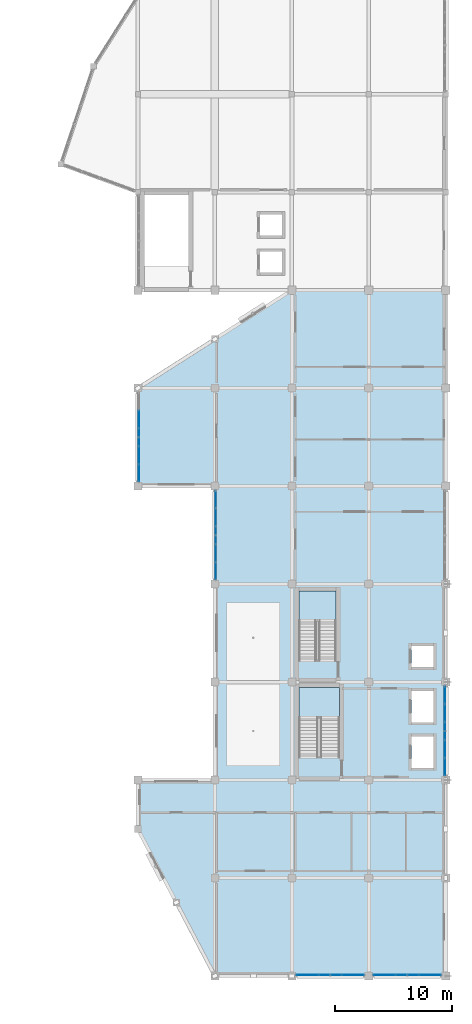
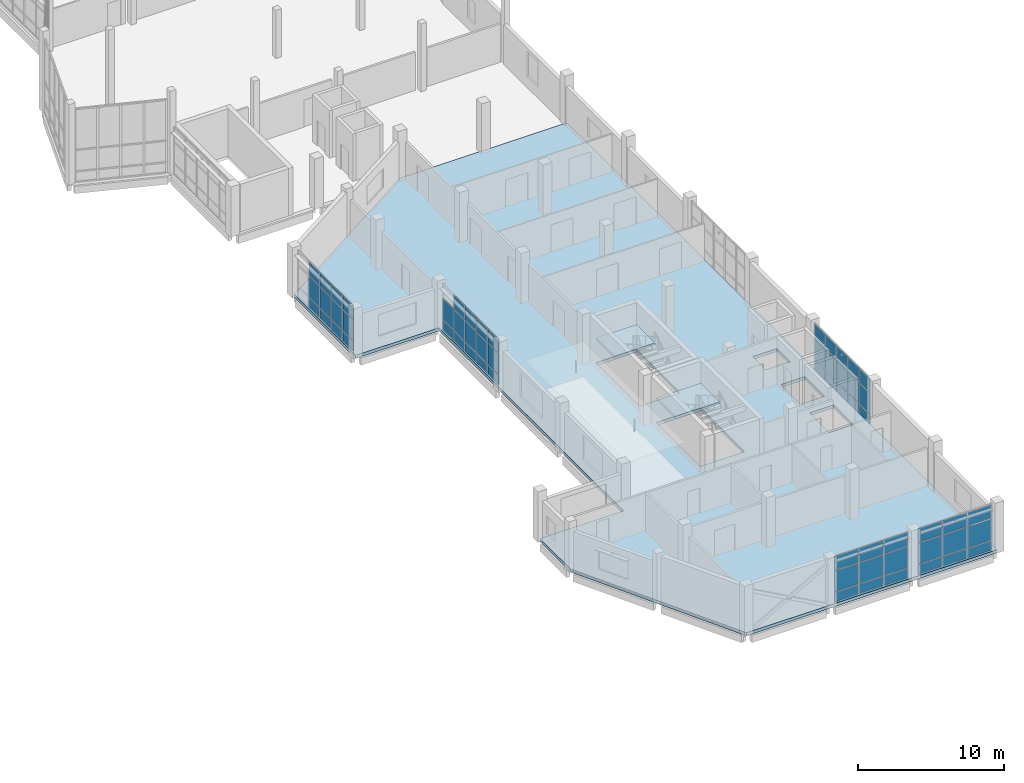
# One storey, part 50 of 78: 59 plates, 3 slabs, 7 elements without a shape of their own.
"""IFC4 building model written with IfcOpenShell, lengths in metres."""

from ifc_helpers import new_model, si_unit, direction, frame, origin, origin_2d, place, context, subcontext, project, spatial, polyline, rectangle, outline, extrude, material, layer, layer_set, type_object, element, aggregate, save


model = new_model("IFC4")

# Units and contexts
model_context = context("Model", 3, precision=1e-05, world=origin(), true_north=direction((0.0, 1.0)))
body_context = subcontext(model_context, "Body", "Model", "MODEL_VIEW")
ifc_project = project(units=[si_unit("LENGTHUNIT", "METRE"), si_unit("AREAUNIT", "SQUARE_METRE"), si_unit("VOLUMEUNIT", "CUBIC_METRE"), si_unit("PLANEANGLEUNIT", "RADIAN"), si_unit("MASSUNIT", "GRAM", prefix="KILO")], contexts=[model_context])

# Site, building, storey
site_placement = place(None, origin())
site = spatial("IfcSite", under=ifc_project, at=site_placement, CompositionType="ELEMENT")
building_placement = place(site_placement, origin())
building = spatial("IfcBuilding", under=site, at=building_placement, Name="Qaldarim Faculty of Natural and Applied Sciences", CompositionType="ELEMENT")
storey_placement = place(building_placement, frame((0.0, 0.0, 18.60009765625)))
storey = spatial("IfcBuildingStorey", under=building, at=storey_placement, Name="L04", CompositionType="ELEMENT", Elevation=18.60009765625)

# Slab
ifc_material_1 = material(Name="Concrete C40/50", Category="concrete")
ifc_layer_1 = layer(ifc_material_1, 0.260009765625)
ifc_layer_set_1 = layer_set([ifc_layer_1], Name="Concrete C40/50")
slab_type_1 = type_object("IfcSlabType", Name="LaboratoryFloorSlab-260", PredefinedType="FLOOR", material=ifc_layer_set_1)
slab_1_placement = place(storey_placement, frame((0.0, 0.0, -0.260009765625)))
element("IfcSlab", 1, at=slab_1_placement, inside=storey, type_object=slab_type_1, Name="Floor slab L04 V5", PredefinedType="FLOOR", context=body_context, shape_type="SweptSolid", body=[
    extrude(outline(polyline([(158.39990234375, 0.0), (178.199951171875, 0.0), (178.199951171875, 58.800048828125), (165.0, 58.800048828125), (151.800048828125, 50.39990234375), (151.800048828125, 42.0), (158.39990234375, 42.0), (158.39990234375, 16.800048828125), (151.800048828125, 16.800048828125), (151.800048828125, 12.60009765625), (158.39990234375, 0.0)]), holes=[polyline([(169.10009765625, 18.764892578125), (169.10009765625, 24.77490234375), (165.60009765625, 24.77490234375), (165.60009765625, 18.764892578125), (169.10009765625, 18.764892578125)]), polyline([(168.800048828125, 27.06494140625), (168.800048828125, 33.02490234375), (165.60009765625, 33.02490234375), (165.60009765625, 27.06494140625), (168.800048828125, 27.06494140625)]), polyline([(175.25, 17.85009765625), (177.14990234375, 17.85009765625), (177.14990234375, 20.550048828125), (175.25, 20.550048828125), (175.25, 17.85009765625)]), polyline([(175.25, 21.75), (177.14990234375, 21.75), (177.14990234375, 24.449951171875), (175.25, 24.449951171875), (175.25, 21.75)]), polyline([(175.25, 26.5), (177.14990234375, 26.5), (177.14990234375, 28.300048828125), (175.25, 28.300048828125), (175.25, 26.5)])]), origin(), (0.0, 0.0, 1.0), 0.260009765625),
])

# Curtain wall, plates
ifc_material_2 = material(Name="Anodised aluminium AW-6063", Category="aluminium")
curtain_wall_type = type_object("IfcCurtainWallType", Name="CurtainWallSystem-M1700", PredefinedType="USERDEFINED", material=ifc_material_2)
curtain_wall_1_placement = place(storey_placement, origin())
curtain_wall_1 = element("IfcCurtainWall", 2, at=curtain_wall_1_placement, inside=storey, type_object=curtain_wall_type, Name="Curtain wall CW-L04-W-X24Y06", ObjectType="UNITISED FACADE", PredefinedType="USERDEFINED")
ifc_material_3 = material(Name="Insulated low-e double glazing", Category="glass")
ifc_layer_2 = layer(ifc_material_3, 0.031982421875)
ifc_layer_set_2 = layer_set([ifc_layer_2], Name="Insulated low-e double glazing")
plate_type = type_object("IfcPlateType", Name="SolarControlGlazingPanel-32", PredefinedType="CURTAIN_PANEL", material=ifc_layer_set_2)
plate_1_placement = place(storey_placement, frame((151.8798828125, 47.741943359375, 0.06982421875), z_axis=(0.0, 0.0, 1.0), x_axis=(0.0, -1.0, 0.0)))
plate_1 = element("IfcPlate", 3, at=plate_1_placement, type_object=plate_type, Name="Glazed panel 2-1 of CW-L04-W-X24Y06", PredefinedType="CURTAIN_PANEL", context=body_context, shape_type="SweptSolid", body=[
    extrude(rectangle(XDim=1.471923828125, YDim=0.031982421875, at=origin_2d()), origin(), (0.0, 0.0, 1.0), 0.794921875),
])
plate_2_placement = place(storey_placement, frame((151.8798828125, 47.741943359375, 0.934814453125), z_axis=(0.0, 0.0, 1.0), x_axis=(0.0, -1.0, 0.0)))
plate_2 = element("IfcPlate", 4, at=plate_2_placement, type_object=plate_type, Name="Glazed panel 2-2 of CW-L04-W-X24Y06", PredefinedType="CURTAIN_PANEL", context=body_context, shape_type="SweptSolid", body=[
    extrude(rectangle(XDim=1.471923828125, YDim=0.031982421875, at=origin_2d()), origin(), (0.0, 0.0, 1.0), 1.72998046875),
])
plate_3_placement = place(storey_placement, frame((151.8798828125, 47.741943359375, 2.73486328125), z_axis=(0.0, 0.0, 1.0), x_axis=(0.0, -1.0, 0.0)))
plate_3 = element("IfcPlate", 5, at=plate_3_placement, type_object=plate_type, Name="Glazed panel 2-3 of CW-L04-W-X24Y06", PredefinedType="CURTAIN_PANEL", context=body_context, shape_type="SweptSolid", body=[
    extrude(rectangle(XDim=1.471923828125, YDim=0.031982421875, at=origin_2d()), origin(), (0.0, 0.0, 1.0), 1.135009765625),
])
plate_4_placement = place(storey_placement, frame((151.8798828125, 46.199951171875, 0.06982421875), z_axis=(0.0, 0.0, 1.0), x_axis=(0.0, -1.0, 0.0)))
plate_4 = element("IfcPlate", 6, at=plate_4_placement, type_object=plate_type, Name="Glazed panel 3-1 of CW-L04-W-X24Y06", PredefinedType="CURTAIN_PANEL", context=body_context, shape_type="SweptSolid", body=[
    extrude(rectangle(XDim=1.471923828125, YDim=0.031982421875, at=origin_2d()), origin(), (0.0, 0.0, 1.0), 0.794921875),
])
plate_5_placement = place(storey_placement, frame((151.8798828125, 46.199951171875, 0.934814453125), z_axis=(0.0, 0.0, 1.0), x_axis=(0.0, -1.0, 0.0)))
plate_5 = element("IfcPlate", 7, at=plate_5_placement, type_object=plate_type, Name="Glazed panel 3-2 of CW-L04-W-X24Y06", PredefinedType="CURTAIN_PANEL", context=body_context, shape_type="SweptSolid", body=[
    extrude(rectangle(XDim=1.471923828125, YDim=0.031982421875, at=origin_2d()), origin(), (0.0, 0.0, 1.0), 1.72998046875),
])
plate_6_placement = place(storey_placement, frame((151.8798828125, 46.199951171875, 2.73486328125), z_axis=(0.0, 0.0, 1.0), x_axis=(0.0, -1.0, 0.0)))
plate_6 = element("IfcPlate", 8, at=plate_6_placement, type_object=plate_type, Name="Glazed panel 3-3 of CW-L04-W-X24Y06", PredefinedType="CURTAIN_PANEL", context=body_context, shape_type="SweptSolid", body=[
    extrude(rectangle(XDim=1.471923828125, YDim=0.031982421875, at=origin_2d()), origin(), (0.0, 0.0, 1.0), 1.135009765625),
])
plate_7_placement = place(storey_placement, frame((151.8798828125, 44.657958984375, 0.06982421875), z_axis=(0.0, 0.0, 1.0), x_axis=(0.0, -1.0, 0.0)))
plate_7 = element("IfcPlate", 9, at=plate_7_placement, type_object=plate_type, Name="Glazed panel 4-1 of CW-L04-W-X24Y06", PredefinedType="CURTAIN_PANEL", context=body_context, shape_type="SweptSolid", body=[
    extrude(rectangle(XDim=1.471923828125, YDim=0.031982421875, at=origin_2d()), origin(), (0.0, 0.0, 1.0), 0.794921875),
])
plate_8_placement = place(storey_placement, frame((151.8798828125, 44.657958984375, 0.934814453125), z_axis=(0.0, 0.0, 1.0), x_axis=(0.0, -1.0, 0.0)))
plate_8 = element("IfcPlate", 10, at=plate_8_placement, type_object=plate_type, Name="Glazed panel 4-2 of CW-L04-W-X24Y06", PredefinedType="CURTAIN_PANEL", context=body_context, shape_type="SweptSolid", body=[
    extrude(rectangle(XDim=1.471923828125, YDim=0.031982421875, at=origin_2d()), origin(), (0.0, 0.0, 1.0), 1.72998046875),
])
plate_9_placement = place(storey_placement, frame((151.8798828125, 44.657958984375, 2.73486328125), z_axis=(0.0, 0.0, 1.0), x_axis=(0.0, -1.0, 0.0)))
plate_9 = element("IfcPlate", 11, at=plate_9_placement, type_object=plate_type, Name="Glazed panel 4-3 of CW-L04-W-X24Y06", PredefinedType="CURTAIN_PANEL", context=body_context, shape_type="SweptSolid", body=[
    extrude(rectangle(XDim=1.471923828125, YDim=0.031982421875, at=origin_2d()), origin(), (0.0, 0.0, 1.0), 1.135009765625),
])
plate_10_placement = place(storey_placement, frame((151.8798828125, 43.133544921875, 0.06982421875), z_axis=(0.0, 0.0, 1.0), x_axis=(0.0, -1.0, 0.0)))
plate_10 = element("IfcPlate", 12, at=plate_10_placement, type_object=plate_type, Name="Glazed panel 5-1 of CW-L04-W-X24Y06", PredefinedType="CURTAIN_PANEL", context=body_context, shape_type="SweptSolid", body=[
    extrude(rectangle(XDim=1.43701171875, YDim=0.031982421875, at=origin_2d()), origin(), (0.0, 0.0, 1.0), 0.794921875),
])
plate_11_placement = place(storey_placement, frame((151.8798828125, 43.133544921875, 0.934814453125), z_axis=(0.0, 0.0, 1.0), x_axis=(0.0, -1.0, 0.0)))
plate_11 = element("IfcPlate", 13, at=plate_11_placement, type_object=plate_type, Name="Glazed panel 5-2 of CW-L04-W-X24Y06", PredefinedType="CURTAIN_PANEL", context=body_context, shape_type="SweptSolid", body=[
    extrude(rectangle(XDim=1.43701171875, YDim=0.031982421875, at=origin_2d()), origin(), (0.0, 0.0, 1.0), 1.72998046875),
])
plate_12_placement = place(storey_placement, frame((151.8798828125, 43.133544921875, 2.73486328125), z_axis=(0.0, 0.0, 1.0), x_axis=(0.0, -1.0, 0.0)))
plate_12 = element("IfcPlate", 14, at=plate_12_placement, type_object=plate_type, Name="Glazed panel 5-3 of CW-L04-W-X24Y06", PredefinedType="CURTAIN_PANEL", context=body_context, shape_type="SweptSolid", body=[
    extrude(rectangle(XDim=1.43701171875, YDim=0.031982421875, at=origin_2d()), origin(), (0.0, 0.0, 1.0), 1.135009765625),
])
aggregate(curtain_wall_1, [plate_1, plate_2, plate_3, plate_4, plate_5, plate_6, plate_7, plate_8, plate_9, plate_10, plate_11, plate_12])

curtain_wall_2_placement = place(storey_placement, origin())
curtain_wall_2 = element("IfcCurtainWall", 15, at=curtain_wall_2_placement, inside=storey, type_object=curtain_wall_type, Name="Curtain wall CW-L04-W-X25Y05", ObjectType="UNITISED FACADE", PredefinedType="USERDEFINED")
plate_13_placement = place(storey_placement, frame((158.47998046875, 40.866455078125, 0.06982421875), z_axis=(0.0, 0.0, 1.0), x_axis=(0.0, -1.0, 0.0)))
plate_13 = element("IfcPlate", 16, at=plate_13_placement, type_object=plate_type, Name="Glazed panel 1-1 of CW-L04-W-X25Y05", PredefinedType="CURTAIN_PANEL", context=body_context, shape_type="SweptSolid", body=[
    extrude(rectangle(XDim=1.43701171875, YDim=0.031982421875, at=origin_2d()), origin(), (0.0, 0.0, 1.0), 0.794921875),
])
plate_14_placement = place(storey_placement, frame((158.47998046875, 40.866455078125, 0.934814453125), z_axis=(0.0, 0.0, 1.0), x_axis=(0.0, -1.0, 0.0)))
plate_14 = element("IfcPlate", 17, at=plate_14_placement, type_object=plate_type, Name="Glazed panel 1-2 of CW-L04-W-X25Y05", PredefinedType="CURTAIN_PANEL", context=body_context, shape_type="SweptSolid", body=[
    extrude(rectangle(XDim=1.43701171875, YDim=0.031982421875, at=origin_2d()), origin(), (0.0, 0.0, 1.0), 1.72998046875),
])
plate_15_placement = place(storey_placement, frame((158.47998046875, 39.342041015625, 0.06982421875), z_axis=(0.0, 0.0, 1.0), x_axis=(0.0, -1.0, 0.0)))
plate_15 = element("IfcPlate", 18, at=plate_15_placement, type_object=plate_type, Name="Glazed panel 2-1 of CW-L04-W-X25Y05", PredefinedType="CURTAIN_PANEL", context=body_context, shape_type="SweptSolid", body=[
    extrude(rectangle(XDim=1.471923828125, YDim=0.031982421875, at=origin_2d()), origin(), (0.0, 0.0, 1.0), 0.794921875),
])
plate_16_placement = place(storey_placement, frame((158.47998046875, 39.342041015625, 0.934814453125), z_axis=(0.0, 0.0, 1.0), x_axis=(0.0, -1.0, 0.0)))
plate_16 = element("IfcPlate", 19, at=plate_16_placement, type_object=plate_type, Name="Glazed panel 2-2 of CW-L04-W-X25Y05", PredefinedType="CURTAIN_PANEL", context=body_context, shape_type="SweptSolid", body=[
    extrude(rectangle(XDim=1.471923828125, YDim=0.031982421875, at=origin_2d()), origin(), (0.0, 0.0, 1.0), 1.72998046875),
])
plate_17_placement = place(storey_placement, frame((158.47998046875, 39.342041015625, 2.73486328125), z_axis=(0.0, 0.0, 1.0), x_axis=(0.0, -1.0, 0.0)))
plate_17 = element("IfcPlate", 20, at=plate_17_placement, type_object=plate_type, Name="Glazed panel 2-3 of CW-L04-W-X25Y05", PredefinedType="CURTAIN_PANEL", context=body_context, shape_type="SweptSolid", body=[
    extrude(rectangle(XDim=1.471923828125, YDim=0.031982421875, at=origin_2d()), origin(), (0.0, 0.0, 1.0), 1.135009765625),
])
plate_18_placement = place(storey_placement, frame((158.47998046875, 37.800048828125, 0.06982421875), z_axis=(0.0, 0.0, 1.0), x_axis=(0.0, -1.0, 0.0)))
plate_18 = element("IfcPlate", 21, at=plate_18_placement, type_object=plate_type, Name="Glazed panel 3-1 of CW-L04-W-X25Y05", PredefinedType="CURTAIN_PANEL", context=body_context, shape_type="SweptSolid", body=[
    extrude(rectangle(XDim=1.471923828125, YDim=0.031982421875, at=origin_2d()), origin(), (0.0, 0.0, 1.0), 0.794921875),
])
plate_19_placement = place(storey_placement, frame((158.47998046875, 37.800048828125, 0.934814453125), z_axis=(0.0, 0.0, 1.0), x_axis=(0.0, -1.0, 0.0)))
plate_19 = element("IfcPlate", 22, at=plate_19_placement, type_object=plate_type, Name="Glazed panel 3-2 of CW-L04-W-X25Y05", PredefinedType="CURTAIN_PANEL", context=body_context, shape_type="SweptSolid", body=[
    extrude(rectangle(XDim=1.471923828125, YDim=0.031982421875, at=origin_2d()), origin(), (0.0, 0.0, 1.0), 1.72998046875),
])
plate_20_placement = place(storey_placement, frame((158.47998046875, 37.800048828125, 2.73486328125), z_axis=(0.0, 0.0, 1.0), x_axis=(0.0, -1.0, 0.0)))
plate_20 = element("IfcPlate", 23, at=plate_20_placement, type_object=plate_type, Name="Glazed panel 3-3 of CW-L04-W-X25Y05", PredefinedType="CURTAIN_PANEL", context=body_context, shape_type="SweptSolid", body=[
    extrude(rectangle(XDim=1.471923828125, YDim=0.031982421875, at=origin_2d()), origin(), (0.0, 0.0, 1.0), 1.135009765625),
])
plate_21_placement = place(storey_placement, frame((158.47998046875, 36.258056640625, 0.06982421875), z_axis=(0.0, 0.0, 1.0), x_axis=(0.0, -1.0, 0.0)))
plate_21 = element("IfcPlate", 24, at=plate_21_placement, type_object=plate_type, Name="Glazed panel 4-1 of CW-L04-W-X25Y05", PredefinedType="CURTAIN_PANEL", context=body_context, shape_type="SweptSolid", body=[
    extrude(rectangle(XDim=1.471923828125, YDim=0.031982421875, at=origin_2d()), origin(), (0.0, 0.0, 1.0), 0.794921875),
])
plate_22_placement = place(storey_placement, frame((158.47998046875, 36.258056640625, 0.934814453125), z_axis=(0.0, 0.0, 1.0), x_axis=(0.0, -1.0, 0.0)))
plate_22 = element("IfcPlate", 25, at=plate_22_placement, type_object=plate_type, Name="Glazed panel 4-2 of CW-L04-W-X25Y05", PredefinedType="CURTAIN_PANEL", context=body_context, shape_type="SweptSolid", body=[
    extrude(rectangle(XDim=1.471923828125, YDim=0.031982421875, at=origin_2d()), origin(), (0.0, 0.0, 1.0), 1.72998046875),
])
plate_23_placement = place(storey_placement, frame((158.47998046875, 36.258056640625, 2.73486328125), z_axis=(0.0, 0.0, 1.0), x_axis=(0.0, -1.0, 0.0)))
plate_23 = element("IfcPlate", 26, at=plate_23_placement, type_object=plate_type, Name="Glazed panel 4-3 of CW-L04-W-X25Y05", PredefinedType="CURTAIN_PANEL", context=body_context, shape_type="SweptSolid", body=[
    extrude(rectangle(XDim=1.471923828125, YDim=0.031982421875, at=origin_2d()), origin(), (0.0, 0.0, 1.0), 1.135009765625),
])
plate_24_placement = place(storey_placement, frame((158.47998046875, 34.7333984375, 0.06982421875), z_axis=(0.0, 0.0, 1.0), x_axis=(0.0, -1.0, 0.0)))
plate_24 = element("IfcPlate", 27, at=plate_24_placement, type_object=plate_type, Name="Glazed panel 5-1 of CW-L04-W-X25Y05", PredefinedType="CURTAIN_PANEL", context=body_context, shape_type="SweptSolid", body=[
    extrude(rectangle(XDim=1.43701171875, YDim=0.031982421875, at=origin_2d()), origin(), (0.0, 0.0, 1.0), 0.794921875),
])
plate_25_placement = place(storey_placement, frame((158.47998046875, 34.7333984375, 0.934814453125), z_axis=(0.0, 0.0, 1.0), x_axis=(0.0, -1.0, 0.0)))
plate_25 = element("IfcPlate", 28, at=plate_25_placement, type_object=plate_type, Name="Glazed panel 5-2 of CW-L04-W-X25Y05", PredefinedType="CURTAIN_PANEL", context=body_context, shape_type="SweptSolid", body=[
    extrude(rectangle(XDim=1.43701171875, YDim=0.031982421875, at=origin_2d()), origin(), (0.0, 0.0, 1.0), 1.72998046875),
])
plate_26_placement = place(storey_placement, frame((158.47998046875, 34.7333984375, 2.73486328125), z_axis=(0.0, 0.0, 1.0), x_axis=(0.0, -1.0, 0.0)))
plate_26 = element("IfcPlate", 29, at=plate_26_placement, type_object=plate_type, Name="Glazed panel 5-3 of CW-L04-W-X25Y05", PredefinedType="CURTAIN_PANEL", context=body_context, shape_type="SweptSolid", body=[
    extrude(rectangle(XDim=1.43701171875, YDim=0.031982421875, at=origin_2d()), origin(), (0.0, 0.0, 1.0), 1.135009765625),
])
aggregate(curtain_wall_2, [plate_13, plate_14, plate_15, plate_16, plate_17, plate_18, plate_19, plate_20, plate_21, plate_22, plate_23, plate_24, plate_25, plate_26])

curtain_wall_3_placement = place(storey_placement, origin())
curtain_wall_3 = element("IfcCurtainWall", 30, at=curtain_wall_3_placement, inside=storey, type_object=curtain_wall_type, Name="Curtain wall CW-L04-S-X26Y01", ObjectType="UNITISED FACADE", PredefinedType="USERDEFINED")
plate_27_placement = place(storey_placement, frame((166.347412109375, 0.080078125, 0.06982421875), z_axis=(0.0, 0.0, 1.0), x_axis=(1.0, 0.0, 0.0)))
plate_27 = element("IfcPlate", 31, at=plate_27_placement, type_object=plate_type, Name="Glazed panel 1-1 of CW-L04-S-X26Y01", PredefinedType="CURTAIN_PANEL", context=body_context, shape_type="SweptSolid", body=[
    extrude(rectangle(XDim=1.864990234375, YDim=0.031982421875, at=origin_2d()), origin(), (0.0, 0.0, 1.0), 0.794921875),
])
plate_28_placement = place(storey_placement, frame((166.347412109375, 0.080078125, 0.934814453125), z_axis=(0.0, 0.0, 1.0), x_axis=(1.0, 0.0, 0.0)))
plate_28 = element("IfcPlate", 32, at=plate_28_placement, type_object=plate_type, Name="Glazed panel 1-2 of CW-L04-S-X26Y01", PredefinedType="CURTAIN_PANEL", context=body_context, shape_type="SweptSolid", body=[
    extrude(rectangle(XDim=1.864990234375, YDim=0.031982421875, at=origin_2d()), origin(), (0.0, 0.0, 1.0), 1.72998046875),
])
plate_29_placement = place(storey_placement, frame((166.347412109375, 0.080078125, 2.73486328125), z_axis=(0.0, 0.0, 1.0), x_axis=(1.0, 0.0, 0.0)))
plate_29 = element("IfcPlate", 33, at=plate_29_placement, type_object=plate_type, Name="Glazed panel 1-3 of CW-L04-S-X26Y01", PredefinedType="CURTAIN_PANEL", context=body_context, shape_type="SweptSolid", body=[
    extrude(rectangle(XDim=1.864990234375, YDim=0.031982421875, at=origin_2d()), origin(), (0.0, 0.0, 1.0), 1.135009765625),
])
plate_30_placement = place(storey_placement, frame((168.300048828125, 0.080078125, 0.06982421875), z_axis=(0.0, 0.0, 1.0), x_axis=(1.0, 0.0, 0.0)))
plate_30 = element("IfcPlate", 34, at=plate_30_placement, type_object=plate_type, Name="Glazed panel 2-1 of CW-L04-S-X26Y01", PredefinedType="CURTAIN_PANEL", context=body_context, shape_type="SweptSolid", body=[
    extrude(rectangle(XDim=1.89990234375, YDim=0.031982421875, at=origin_2d()), origin(), (0.0, 0.0, 1.0), 0.794921875),
])
plate_31_placement = place(storey_placement, frame((168.300048828125, 0.080078125, 0.934814453125), z_axis=(0.0, 0.0, 1.0), x_axis=(1.0, 0.0, 0.0)))
plate_31 = element("IfcPlate", 35, at=plate_31_placement, type_object=plate_type, Name="Glazed panel 2-2 of CW-L04-S-X26Y01", PredefinedType="CURTAIN_PANEL", context=body_context, shape_type="SweptSolid", body=[
    extrude(rectangle(XDim=1.89990234375, YDim=0.031982421875, at=origin_2d()), origin(), (0.0, 0.0, 1.0), 1.72998046875),
])
plate_32_placement = place(storey_placement, frame((168.300048828125, 0.080078125, 2.73486328125), z_axis=(0.0, 0.0, 1.0), x_axis=(1.0, 0.0, 0.0)))
plate_32 = element("IfcPlate", 36, at=plate_32_placement, type_object=plate_type, Name="Glazed panel 2-3 of CW-L04-S-X26Y01", PredefinedType="CURTAIN_PANEL", context=body_context, shape_type="SweptSolid", body=[
    extrude(rectangle(XDim=1.89990234375, YDim=0.031982421875, at=origin_2d()), origin(), (0.0, 0.0, 1.0), 1.135009765625),
])
plate_33_placement = place(storey_placement, frame((170.25244140625, 0.080078125, 0.06982421875), z_axis=(0.0, 0.0, 1.0), x_axis=(1.0, 0.0, 0.0)))
plate_33 = element("IfcPlate", 37, at=plate_33_placement, type_object=plate_type, Name="Glazed panel 3-1 of CW-L04-S-X26Y01", PredefinedType="CURTAIN_PANEL", context=body_context, shape_type="SweptSolid", body=[
    extrude(rectangle(XDim=1.864990234375, YDim=0.031982421875, at=origin_2d()), origin(), (0.0, 0.0, 1.0), 0.794921875),
])
plate_34_placement = place(storey_placement, frame((170.25244140625, 0.080078125, 0.934814453125), z_axis=(0.0, 0.0, 1.0), x_axis=(1.0, 0.0, 0.0)))
plate_34 = element("IfcPlate", 38, at=plate_34_placement, type_object=plate_type, Name="Glazed panel 3-2 of CW-L04-S-X26Y01", PredefinedType="CURTAIN_PANEL", context=body_context, shape_type="SweptSolid", body=[
    extrude(rectangle(XDim=1.864990234375, YDim=0.031982421875, at=origin_2d()), origin(), (0.0, 0.0, 1.0), 1.72998046875),
])
plate_35_placement = place(storey_placement, frame((170.25244140625, 0.080078125, 2.73486328125), z_axis=(0.0, 0.0, 1.0), x_axis=(1.0, 0.0, 0.0)))
plate_35 = element("IfcPlate", 39, at=plate_35_placement, type_object=plate_type, Name="Glazed panel 3-3 of CW-L04-S-X26Y01", PredefinedType="CURTAIN_PANEL", context=body_context, shape_type="SweptSolid", body=[
    extrude(rectangle(XDim=1.864990234375, YDim=0.031982421875, at=origin_2d()), origin(), (0.0, 0.0, 1.0), 1.135009765625),
])
aggregate(curtain_wall_3, [plate_27, plate_28, plate_29, plate_30, plate_31, plate_32, plate_33, plate_34, plate_35])

curtain_wall_4_placement = place(storey_placement, origin())
curtain_wall_4 = element("IfcCurtainWall", 40, at=curtain_wall_4_placement, inside=storey, type_object=curtain_wall_type, Name="Curtain wall CW-L04-S-X27Y01", ObjectType="UNITISED FACADE", PredefinedType="USERDEFINED")
plate_36_placement = place(storey_placement, frame((172.947509765625, 0.080078125, 0.06982421875), z_axis=(0.0, 0.0, 1.0), x_axis=(1.0, 0.0, 0.0)))
plate_36 = element("IfcPlate", 41, at=plate_36_placement, type_object=plate_type, Name="Glazed panel 1-1 of CW-L04-S-X27Y01", PredefinedType="CURTAIN_PANEL", context=body_context, shape_type="SweptSolid", body=[
    extrude(rectangle(XDim=1.864990234375, YDim=0.031982421875, at=origin_2d()), origin(), (0.0, 0.0, 1.0), 0.794921875),
])
plate_37_placement = place(storey_placement, frame((172.947509765625, 0.080078125, 0.934814453125), z_axis=(0.0, 0.0, 1.0), x_axis=(1.0, 0.0, 0.0)))
plate_37 = element("IfcPlate", 42, at=plate_37_placement, type_object=plate_type, Name="Glazed panel 1-2 of CW-L04-S-X27Y01", PredefinedType="CURTAIN_PANEL", context=body_context, shape_type="SweptSolid", body=[
    extrude(rectangle(XDim=1.864990234375, YDim=0.031982421875, at=origin_2d()), origin(), (0.0, 0.0, 1.0), 1.72998046875),
])
plate_38_placement = place(storey_placement, frame((172.947509765625, 0.080078125, 2.73486328125), z_axis=(0.0, 0.0, 1.0), x_axis=(1.0, 0.0, 0.0)))
plate_38 = element("IfcPlate", 43, at=plate_38_placement, type_object=plate_type, Name="Glazed panel 1-3 of CW-L04-S-X27Y01", PredefinedType="CURTAIN_PANEL", context=body_context, shape_type="SweptSolid", body=[
    extrude(rectangle(XDim=1.864990234375, YDim=0.031982421875, at=origin_2d()), origin(), (0.0, 0.0, 1.0), 1.135009765625),
])
plate_39_placement = place(storey_placement, frame((174.89990234375, 0.080078125, 0.06982421875), z_axis=(0.0, 0.0, 1.0), x_axis=(1.0, 0.0, 0.0)))
plate_39 = element("IfcPlate", 44, at=plate_39_placement, type_object=plate_type, Name="Glazed panel 2-1 of CW-L04-S-X27Y01", PredefinedType="CURTAIN_PANEL", context=body_context, shape_type="SweptSolid", body=[
    extrude(rectangle(XDim=1.89990234375, YDim=0.031982421875, at=origin_2d()), origin(), (0.0, 0.0, 1.0), 0.794921875),
])
plate_40_placement = place(storey_placement, frame((174.89990234375, 0.080078125, 0.934814453125), z_axis=(0.0, 0.0, 1.0), x_axis=(1.0, 0.0, 0.0)))
plate_40 = element("IfcPlate", 45, at=plate_40_placement, type_object=plate_type, Name="Glazed panel 2-2 of CW-L04-S-X27Y01", PredefinedType="CURTAIN_PANEL", context=body_context, shape_type="SweptSolid", body=[
    extrude(rectangle(XDim=1.89990234375, YDim=0.031982421875, at=origin_2d()), origin(), (0.0, 0.0, 1.0), 1.72998046875),
])
plate_41_placement = place(storey_placement, frame((174.89990234375, 0.080078125, 2.73486328125), z_axis=(0.0, 0.0, 1.0), x_axis=(1.0, 0.0, 0.0)))
plate_41 = element("IfcPlate", 46, at=plate_41_placement, type_object=plate_type, Name="Glazed panel 2-3 of CW-L04-S-X27Y01", PredefinedType="CURTAIN_PANEL", context=body_context, shape_type="SweptSolid", body=[
    extrude(rectangle(XDim=1.89990234375, YDim=0.031982421875, at=origin_2d()), origin(), (0.0, 0.0, 1.0), 1.135009765625),
])
plate_42_placement = place(storey_placement, frame((176.8525390625, 0.080078125, 0.06982421875), z_axis=(0.0, 0.0, 1.0), x_axis=(1.0, 0.0, 0.0)))
plate_42 = element("IfcPlate", 47, at=plate_42_placement, type_object=plate_type, Name="Glazed panel 3-1 of CW-L04-S-X27Y01", PredefinedType="CURTAIN_PANEL", context=body_context, shape_type="SweptSolid", body=[
    extrude(rectangle(XDim=1.864990234375, YDim=0.031982421875, at=origin_2d()), origin(), (0.0, 0.0, 1.0), 0.794921875),
])
plate_43_placement = place(storey_placement, frame((176.8525390625, 0.080078125, 0.934814453125), z_axis=(0.0, 0.0, 1.0), x_axis=(1.0, 0.0, 0.0)))
plate_43 = element("IfcPlate", 48, at=plate_43_placement, type_object=plate_type, Name="Glazed panel 3-2 of CW-L04-S-X27Y01", PredefinedType="CURTAIN_PANEL", context=body_context, shape_type="SweptSolid", body=[
    extrude(rectangle(XDim=1.864990234375, YDim=0.031982421875, at=origin_2d()), origin(), (0.0, 0.0, 1.0), 1.72998046875),
])
plate_44_placement = place(storey_placement, frame((176.8525390625, 0.080078125, 2.73486328125), z_axis=(0.0, 0.0, 1.0), x_axis=(1.0, 0.0, 0.0)))
plate_44 = element("IfcPlate", 49, at=plate_44_placement, type_object=plate_type, Name="Glazed panel 3-3 of CW-L04-S-X27Y01", PredefinedType="CURTAIN_PANEL", context=body_context, shape_type="SweptSolid", body=[
    extrude(rectangle(XDim=1.864990234375, YDim=0.031982421875, at=origin_2d()), origin(), (0.0, 0.0, 1.0), 1.135009765625),
])
aggregate(curtain_wall_4, [plate_36, plate_37, plate_38, plate_39, plate_40, plate_41, plate_42, plate_43, plate_44])

curtain_wall_5_placement = place(storey_placement, origin())
curtain_wall_5 = element("IfcCurtainWall", 50, at=curtain_wall_5_placement, inside=storey, type_object=curtain_wall_type, Name="Curtain wall CW-L04-E-X27Y03", ObjectType="UNITISED FACADE", PredefinedType="USERDEFINED")
plate_45_placement = place(storey_placement, frame((178.1201171875, 17.93359375, 0.06982421875), z_axis=(0.0, 0.0, 1.0), x_axis=(0.0, 1.0, 0.0)))
plate_45 = element("IfcPlate", 51, at=plate_45_placement, type_object=plate_type, Name="Glazed panel 1-1 of CW-L04-E-X27Y03", PredefinedType="CURTAIN_PANEL", context=body_context, shape_type="SweptSolid", body=[
    extrude(rectangle(XDim=1.43701171875, YDim=0.031982421875, at=origin_2d()), origin(), (0.0, 0.0, 1.0), 0.794921875),
])
plate_46_placement = place(storey_placement, frame((178.1201171875, 17.93359375, 0.934814453125), z_axis=(0.0, 0.0, 1.0), x_axis=(0.0, 1.0, 0.0)))
plate_46 = element("IfcPlate", 52, at=plate_46_placement, type_object=plate_type, Name="Glazed panel 1-2 of CW-L04-E-X27Y03", PredefinedType="CURTAIN_PANEL", context=body_context, shape_type="SweptSolid", body=[
    extrude(rectangle(XDim=1.43701171875, YDim=0.031982421875, at=origin_2d()), origin(), (0.0, 0.0, 1.0), 1.72998046875),
])
plate_47_placement = place(storey_placement, frame((178.1201171875, 17.93359375, 2.73486328125), z_axis=(0.0, 0.0, 1.0), x_axis=(0.0, 1.0, 0.0)))
plate_47 = element("IfcPlate", 53, at=plate_47_placement, type_object=plate_type, Name="Glazed panel 1-3 of CW-L04-E-X27Y03", PredefinedType="CURTAIN_PANEL", context=body_context, shape_type="SweptSolid", body=[
    extrude(rectangle(XDim=1.43701171875, YDim=0.031982421875, at=origin_2d()), origin(), (0.0, 0.0, 1.0), 1.135009765625),
])
plate_48_placement = place(storey_placement, frame((178.1201171875, 19.4580078125, 0.06982421875), z_axis=(0.0, 0.0, 1.0), x_axis=(0.0, 1.0, 0.0)))
plate_48 = element("IfcPlate", 54, at=plate_48_placement, type_object=plate_type, Name="Glazed panel 2-1 of CW-L04-E-X27Y03", PredefinedType="CURTAIN_PANEL", context=body_context, shape_type="SweptSolid", body=[
    extrude(rectangle(XDim=1.471923828125, YDim=0.031982421875, at=origin_2d()), origin(), (0.0, 0.0, 1.0), 0.794921875),
])
plate_49_placement = place(storey_placement, frame((178.1201171875, 19.4580078125, 0.934814453125), z_axis=(0.0, 0.0, 1.0), x_axis=(0.0, 1.0, 0.0)))
plate_49 = element("IfcPlate", 55, at=plate_49_placement, type_object=plate_type, Name="Glazed panel 2-2 of CW-L04-E-X27Y03", PredefinedType="CURTAIN_PANEL", context=body_context, shape_type="SweptSolid", body=[
    extrude(rectangle(XDim=1.471923828125, YDim=0.031982421875, at=origin_2d()), origin(), (0.0, 0.0, 1.0), 1.72998046875),
])
plate_50_placement = place(storey_placement, frame((178.1201171875, 19.4580078125, 2.73486328125), z_axis=(0.0, 0.0, 1.0), x_axis=(0.0, 1.0, 0.0)))
plate_50 = element("IfcPlate", 56, at=plate_50_placement, type_object=plate_type, Name="Glazed panel 2-3 of CW-L04-E-X27Y03", PredefinedType="CURTAIN_PANEL", context=body_context, shape_type="SweptSolid", body=[
    extrude(rectangle(XDim=1.471923828125, YDim=0.031982421875, at=origin_2d()), origin(), (0.0, 0.0, 1.0), 1.135009765625),
])
plate_51_placement = place(storey_placement, frame((178.1201171875, 21.0, 0.06982421875), z_axis=(0.0, 0.0, 1.0), x_axis=(0.0, 1.0, 0.0)))
plate_51 = element("IfcPlate", 57, at=plate_51_placement, type_object=plate_type, Name="Glazed panel 3-1 of CW-L04-E-X27Y03", PredefinedType="CURTAIN_PANEL", context=body_context, shape_type="SweptSolid", body=[
    extrude(rectangle(XDim=1.471923828125, YDim=0.031982421875, at=origin_2d()), origin(), (0.0, 0.0, 1.0), 0.794921875),
])
plate_52_placement = place(storey_placement, frame((178.1201171875, 21.0, 0.934814453125), z_axis=(0.0, 0.0, 1.0), x_axis=(0.0, 1.0, 0.0)))
plate_52 = element("IfcPlate", 58, at=plate_52_placement, type_object=plate_type, Name="Glazed panel 3-2 of CW-L04-E-X27Y03", PredefinedType="CURTAIN_PANEL", context=body_context, shape_type="SweptSolid", body=[
    extrude(rectangle(XDim=1.471923828125, YDim=0.031982421875, at=origin_2d()), origin(), (0.0, 0.0, 1.0), 1.72998046875),
])
plate_53_placement = place(storey_placement, frame((178.1201171875, 21.0, 2.73486328125), z_axis=(0.0, 0.0, 1.0), x_axis=(0.0, 1.0, 0.0)))
plate_53 = element("IfcPlate", 59, at=plate_53_placement, type_object=plate_type, Name="Glazed panel 3-3 of CW-L04-E-X27Y03", PredefinedType="CURTAIN_PANEL", context=body_context, shape_type="SweptSolid", body=[
    extrude(rectangle(XDim=1.471923828125, YDim=0.031982421875, at=origin_2d()), origin(), (0.0, 0.0, 1.0), 1.135009765625),
])
plate_54_placement = place(storey_placement, frame((178.1201171875, 22.5419921875, 0.06982421875), z_axis=(0.0, 0.0, 1.0), x_axis=(0.0, 1.0, 0.0)))
plate_54 = element("IfcPlate", 60, at=plate_54_placement, type_object=plate_type, Name="Glazed panel 4-1 of CW-L04-E-X27Y03", PredefinedType="CURTAIN_PANEL", context=body_context, shape_type="SweptSolid", body=[
    extrude(rectangle(XDim=1.471923828125, YDim=0.031982421875, at=origin_2d()), origin(), (0.0, 0.0, 1.0), 0.794921875),
])
plate_55_placement = place(storey_placement, frame((178.1201171875, 22.5419921875, 0.934814453125), z_axis=(0.0, 0.0, 1.0), x_axis=(0.0, 1.0, 0.0)))
plate_55 = element("IfcPlate", 61, at=plate_55_placement, type_object=plate_type, Name="Glazed panel 4-2 of CW-L04-E-X27Y03", PredefinedType="CURTAIN_PANEL", context=body_context, shape_type="SweptSolid", body=[
    extrude(rectangle(XDim=1.471923828125, YDim=0.031982421875, at=origin_2d()), origin(), (0.0, 0.0, 1.0), 1.72998046875),
])
plate_56_placement = place(storey_placement, frame((178.1201171875, 22.5419921875, 2.73486328125), z_axis=(0.0, 0.0, 1.0), x_axis=(0.0, 1.0, 0.0)))
plate_56 = element("IfcPlate", 62, at=plate_56_placement, type_object=plate_type, Name="Glazed panel 4-3 of CW-L04-E-X27Y03", PredefinedType="CURTAIN_PANEL", context=body_context, shape_type="SweptSolid", body=[
    extrude(rectangle(XDim=1.471923828125, YDim=0.031982421875, at=origin_2d()), origin(), (0.0, 0.0, 1.0), 1.135009765625),
])
plate_57_placement = place(storey_placement, frame((178.1201171875, 24.06640625, 0.06982421875), z_axis=(0.0, 0.0, 1.0), x_axis=(0.0, 1.0, 0.0)))
plate_57 = element("IfcPlate", 63, at=plate_57_placement, type_object=plate_type, Name="Glazed panel 5-1 of CW-L04-E-X27Y03", PredefinedType="CURTAIN_PANEL", context=body_context, shape_type="SweptSolid", body=[
    extrude(rectangle(XDim=1.43701171875, YDim=0.031982421875, at=origin_2d()), origin(), (0.0, 0.0, 1.0), 0.794921875),
])
plate_58_placement = place(storey_placement, frame((178.1201171875, 24.06640625, 0.934814453125), z_axis=(0.0, 0.0, 1.0), x_axis=(0.0, 1.0, 0.0)))
plate_58 = element("IfcPlate", 64, at=plate_58_placement, type_object=plate_type, Name="Glazed panel 5-2 of CW-L04-E-X27Y03", PredefinedType="CURTAIN_PANEL", context=body_context, shape_type="SweptSolid", body=[
    extrude(rectangle(XDim=1.43701171875, YDim=0.031982421875, at=origin_2d()), origin(), (0.0, 0.0, 1.0), 1.72998046875),
])
plate_59_placement = place(storey_placement, frame((178.1201171875, 24.06640625, 2.73486328125), z_axis=(0.0, 0.0, 1.0), x_axis=(0.0, 1.0, 0.0)))
plate_59 = element("IfcPlate", 65, at=plate_59_placement, type_object=plate_type, Name="Glazed panel 5-3 of CW-L04-E-X27Y03", PredefinedType="CURTAIN_PANEL", context=body_context, shape_type="SweptSolid", body=[
    extrude(rectangle(XDim=1.43701171875, YDim=0.031982421875, at=origin_2d()), origin(), (0.0, 0.0, 1.0), 1.135009765625),
])
aggregate(curtain_wall_5, [plate_45, plate_46, plate_47, plate_48, plate_49, plate_50, plate_51, plate_52, plate_53, plate_54, plate_55, plate_56, plate_57, plate_58, plate_59])

# Stair, slab
stair_type_1 = type_object("IfcStairType", Name="DoglegStair-W1650-H4200-26R", PredefinedType="HALF_TURN_STAIR", material=ifc_material_1)
stair_1_placement = place(storey_placement, origin())
stair_1 = element("IfcStair", 66, at=stair_1_placement, inside=storey, type_object=stair_type_1, Name="Enclosed exit stair ST-A1 L04", PredefinedType="HALF_TURN_STAIR")
ifc_layer_3 = layer(ifc_material_1, 0.2099609375)
ifc_layer_set_3 = layer_set([ifc_layer_3], Name="Concrete C40/50")
slab_type_2 = type_object("IfcSlabType", Name="StairLandingSlab-210", PredefinedType="LANDING", material=ifc_layer_set_3)
slab_2_placement = place(storey_placement, frame((0.0, 0.0, 1.889892578125)))
slab_2 = element("IfcSlab", 67, at=slab_2_placement, type_object=slab_type_2, Name="ST-A1 L04 half-landing 1", PredefinedType="LANDING", context=body_context, shape_type="SweptSolid", body=[
    extrude(outline(polyline([(169.10009765625, 22.155029296875), (169.10009765625, 24.75), (165.60009765625, 24.75), (165.60009765625, 22.155029296875), (169.10009765625, 22.155029296875)])), origin(), (0.0, 0.0, 1.0), 0.2099609375),
])
aggregate(stair_1, [slab_2])

stair_type_2 = type_object("IfcStairType", Name="DoglegStair-W1500-H4200-26R", PredefinedType="HALF_TURN_STAIR", material=ifc_material_1)
stair_2_placement = place(storey_placement, origin())
stair_2 = element("IfcStair", 68, at=stair_2_placement, inside=storey, type_object=stair_type_2, Name="Enclosed exit stair ST-A2 L04", PredefinedType="HALF_TURN_STAIR")
slab_3_placement = place(storey_placement, frame((0.0, 0.0, 1.889892578125)))
slab_3 = element("IfcSlab", 69, at=slab_3_placement, type_object=slab_type_2, Name="ST-A2 L04 half-landing 1", PredefinedType="LANDING", context=body_context, shape_type="SweptSolid", body=[
    extrude(outline(polyline([(168.800048828125, 30.455078125), (168.800048828125, 33.0), (165.60009765625, 33.0), (165.60009765625, 30.455078125), (168.800048828125, 30.455078125)])), origin(), (0.0, 0.0, 1.0), 0.2099609375),
])
aggregate(stair_2, [slab_3])

save(model, "model.ifc")
